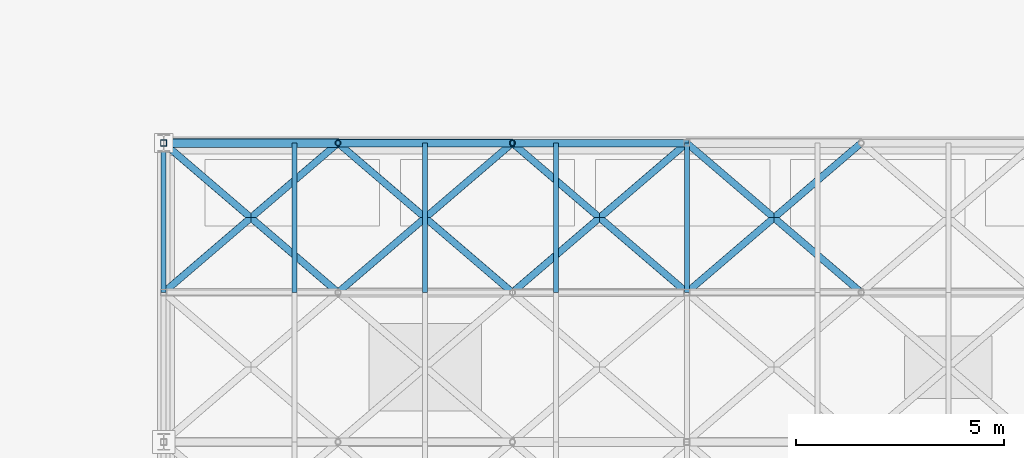
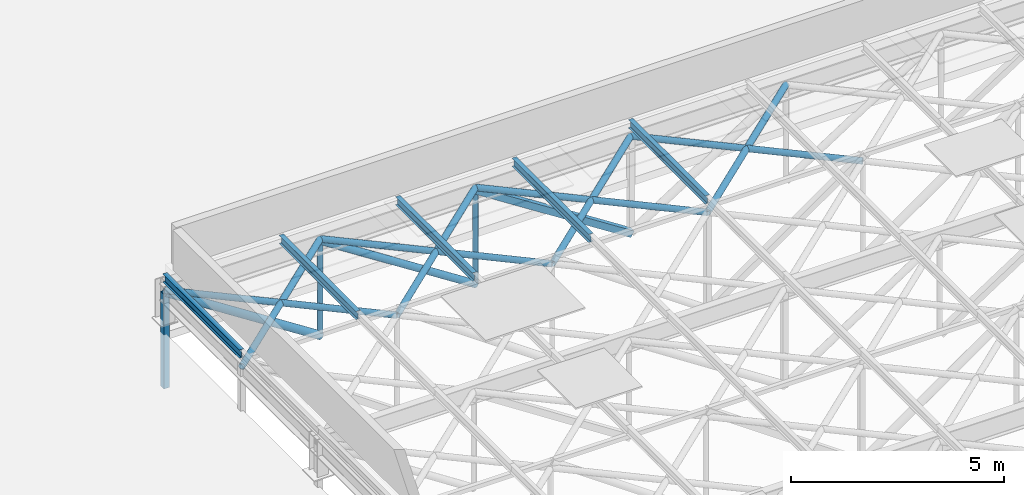
# One storey, part 24 of 45: 19 members.
"""IFC4 building model written with IfcOpenShell, lengths in metres."""

from ifc_helpers import new_model, si_unit, derived_unit, direction, frame, origin, origin_2d, place, context, subcontext, project, spatial, hollow_rectangle, hollow_circle, i_section, extrude, material, material_profile, profile_set, type_object, element, save


model = new_model("IFC4")

# Units and contexts
model_context = context("Model", 3, precision=1e-05, world=origin(), true_north=direction((0.0, 1.0)))
body_context = subcontext(model_context, "Body", "Model", "MODEL_VIEW")
ifc_project = project(units=[si_unit("LENGTHUNIT", "METRE"), si_unit("AREAUNIT", "SQUARE_METRE"), si_unit("VOLUMEUNIT", "CUBIC_METRE"), si_unit("PLANEANGLEUNIT", "RADIAN"), si_unit("MASSUNIT", "GRAM", prefix="KILO"), derived_unit("THERMALTRANSMITTANCEUNIT", [(si_unit("MASSUNIT", "GRAM", prefix="KILO"), 1), (si_unit("TIMEUNIT", "SECOND"), -3), (si_unit("THERMODYNAMICTEMPERATUREUNIT", "KELVIN"), -1)])], contexts=[model_context])

# Site, building, storey
site_placement = place(None, origin())
site = spatial("IfcSite", under=ifc_project, at=site_placement, CompositionType="ELEMENT")
building_placement = place(site_placement, origin())
building = spatial("IfcBuilding", under=site, at=building_placement, Name="Veldstrom Oceanarium and Marine Research Institute", CompositionType="ELEMENT")
storey_placement = place(building_placement, frame((0.0, 0.0, 22.199951171875)))
storey = spatial("IfcBuildingStorey", under=building, at=storey_placement, Name="L04", CompositionType="ELEMENT", Elevation=22.199951171875)

# Members
ifc_material_1 = material(Name="Steel S355JR", Category="steel")
ifc_material_profile_1 = material_profile(ifc_material_1, hollow_circle(Radius=0.109619140625, WallThickness=0.012451171875, at=origin_2d()), Name="CHS 219.1x12.5")
ifc_profile_set_1 = profile_set([ifc_material_profile_1], Name="Steel S355JR")
member_type_1 = type_object("IfcMemberType", Name="STR-MEM-BR1", PredefinedType="BRACE", material=ifc_profile_set_1)
member_1_placement = place(storey_placement, frame((16.800048828125, 57.60009765625, 0.81005859375), z_axis=(0.840267936235, 0.0, -0.542171370819), x_axis=(0.0, 1.0, 0.0)))
element("IfcMember", 1, at=member_1_placement, inside=storey, type_object=member_type_1, Name="Truss Web Diagonal RT13-1", PredefinedType="BRACE", context=body_context, shape_type="SweptSolid", body=[
    extrude(hollow_circle(Radius=0.109619140625, WallThickness=0.012451171875, at=origin_2d()), origin(), (0.0, 0.0, 1.0), 4.998291015625),
])
ifc_material_2 = material(Name="Steel S355JR", Category="steel")
ifc_material_profile_2 = material_profile(ifc_material_2, hollow_circle(Radius=0.096923828125, WallThickness=0.010009765625, at=origin_2d()), Name="CHS 193.7x10")
ifc_profile_set_2 = profile_set([ifc_material_profile_2], Name="Steel S355JR")
member_type_2 = type_object("IfcMemberType", Name="STR-MEM-BR2", PredefinedType="BRACE", material=ifc_profile_set_2)
member_2_placement = place(storey_placement, frame((21.0, 57.60009765625, 0.81005859375), z_axis=(0.840267936235, 0.0, -0.542171370819), x_axis=(0.0, 1.0, 0.0)))
element("IfcMember", 2, at=member_2_placement, inside=storey, type_object=member_type_2, Name="Truss Web Diagonal RT13-2", PredefinedType="BRACE", context=body_context, shape_type="SweptSolid", body=[
    extrude(hollow_circle(Radius=0.096923828125, WallThickness=0.010009765625, at=origin_2d()), origin(), (0.0, 0.0, 1.0), 4.998291015625),
])
ifc_material_3 = material(Name="Steel S355JR", Category="steel")
ifc_material_profile_3 = material_profile(ifc_material_3, hollow_circle(Radius=0.084228515625, WallThickness=0.008056640625, at=origin_2d()), Name="CHS 168.3x8")
ifc_profile_set_3 = profile_set([ifc_material_profile_3], Name="Steel S355JR")
member_type_3 = type_object("IfcMemberType", Name="STR-MEM-BR3", PredefinedType="BRACE", material=ifc_profile_set_3)
for number, where, z_axis, x_axis, name in (
    (3, (16.800048828125, 54.0, 0.860107421875), (0.759244140748, 0.650805911728, 0.0), (-0.650805911728, 0.759244140748, 0.0), "Roof Plan Wind Brace WB-12-1"),
    (4, (21.0, 54.0, 0.860107421875), (-0.759244140748, 0.650805911728, 0.0), (-0.650805911728, -0.759244140748, 0.0), "Roof Plan Counter Wind Brace WB-12-1B"),
    (5, (21.0, 54.0, 0.860107421875), (0.759244140748, 0.650805911728, 0.0), (-0.650805911728, 0.759244140748, 0.0), "Roof Plan Wind Brace WB-12-2"),
    (6, (25.199951171875, 54.0, 0.860107421875), (-0.759244140748, 0.650805911728, 0.0), (-0.650805911728, -0.759244140748, 0.0), "Roof Plan Counter Wind Brace WB-12-2B"),
    (7, (25.199951171875, 54.0, 0.860107421875), (0.759244140748, 0.650805911728, 0.0), (-0.650805911728, 0.759244140748, 0.0), "Roof Plan Wind Brace WB-12-3"),
    (8, (29.39990234375, 54.0, 0.860107421875), (-0.759244140748, 0.650805911728, 0.0), (-0.650805911728, -0.759244140748, 0.0), "Roof Plan Counter Wind Brace WB-12-3B"),
):
    element("IfcMember", number, at=place(storey_placement, frame(where, z_axis=z_axis, x_axis=x_axis)), inside=storey, type_object=member_type_3, Name=name, PredefinedType="BRACE", context=body_context, shape_type="SweptSolid", body=[
        extrude(hollow_circle(Radius=0.084228515625, WallThickness=0.008056640625, at=origin_2d()), origin(), (0.0, 0.0, 1.0), 5.53173828125),
    ])
for number, where, z_axis, x_axis, name in (
    (9, (29.39990234375, 54.0, 0.860107421875), (0.759262832861, 0.650784104474, 0.0), (-0.650784104474, 0.759262832861, 0.0), "Roof Plan Wind Brace WB-12-4"),
    (10, (33.60009765625, 54.0, 0.860107421875), (-0.759262832861, 0.650784104474, 0.0), (-0.650784104474, -0.759262832861, 0.0), "Roof Plan Counter Wind Brace WB-12-4B"),
):
    element("IfcMember", number, at=place(storey_placement, frame(where, z_axis=z_axis, x_axis=x_axis)), inside=storey, type_object=member_type_3, Name=name, PredefinedType="BRACE", context=body_context, shape_type="SweptSolid", body=[
        extrude(hollow_circle(Radius=0.084228515625, WallThickness=0.008056640625, at=origin_2d()), origin(), (0.0, 0.0, 1.0), 5.531982421875),
    ])
ifc_material_4 = material(Name="Steel S355JR", Category="steel")
ifc_material_profile_4 = material_profile(ifc_material_4, hollow_rectangle(XDim=0.179931640625, YDim=0.179931640625, WallThickness=0.010009765625, at=origin_2d()), Name="SHS 180x180x10")
ifc_profile_set_4 = profile_set([ifc_material_profile_4], Name="Steel S355JR")
member_type_4 = type_object("IfcMemberType", Name="STR-MEM-BR4", PredefinedType="BRACE", material=ifc_profile_set_4)
member_3_placement = place(storey_placement, frame((25.199951171875, 57.60009765625, 0.81005859375), z_axis=(0.840267936235, 0.0, -0.542171370819), x_axis=(0.0, 1.0, 0.0)))
element("IfcMember", 11, at=member_3_placement, inside=storey, type_object=member_type_4, Name="Truss Web Diagonal RT13-3", PredefinedType="BRACE", context=body_context, shape_type="SweptSolid", body=[
    extrude(hollow_rectangle(XDim=0.179931640625, YDim=0.179931640625, WallThickness=0.010009765625, at=origin_2d()), origin(), (0.0, 0.0, 1.0), 4.998291015625),
])
ifc_material_5 = material(Name="Steel S355JR", Category="steel")
ifc_material_profile_5 = material_profile(ifc_material_5, i_section(OverallWidth=0.1201171875, OverallDepth=0.239990234375, WebThickness=0.006103515625, FlangeThickness=0.009765625, FilletRadius=0.014892578125, at=origin_2d()), Name="IPE 240")
ifc_profile_set_5 = profile_set([ifc_material_profile_5], Name="Steel S355JR")
member_type_5 = type_object("IfcMemberType", Name="STR-MEM-PR1", PredefinedType="PURLIN", material=ifc_profile_set_5)
for number, where, z_axis, x_axis, name in (
    (12, (16.800048828125, 54.0, 1.22998046875), (0.0, 1.0, 0.0), (-1.0, 0.0, 0.0), "Hall Roof Purlin PR-13-1"),
    (13, (19.949951171875, 54.0, 1.22998046875), (0.0, 1.0, 0.0), (-1.0, 0.0, 0.0), "Hall Roof Purlin PR-13-2"),
    (14, (23.10009765625, 54.0, 1.22998046875), (0.0, 1.0, 0.0), (-1.0, 0.0, 0.0), "Hall Roof Purlin PR-13-3"),
    (15, (26.25, 54.0, 1.22998046875), (0.0, 1.0, 0.0), (-1.0, 0.0, 0.0), "Hall Roof Purlin PR-13-4"),
    (16, (29.39990234375, 54.0, 1.22998046875), (0.0, 1.0, 0.0), (-1.0, 0.0, 0.0), "Hall Roof Purlin PR-13-5"),
):
    element("IfcMember", number, at=place(storey_placement, frame(where, z_axis=z_axis, x_axis=x_axis)), inside=storey, type_object=member_type_5, Name=name, PredefinedType="PURLIN", context=body_context, shape_type="SweptSolid", body=[
        extrude(i_section(OverallWidth=0.1201171875, OverallDepth=0.239990234375, WebThickness=0.006103515625, FlangeThickness=0.009765625, FilletRadius=0.014892578125, at=origin_2d()), origin(), (0.0, 0.0, 1.0), 3.60009765625),
    ])
ifc_material_6 = material(Name="Steel S355JR", Category="steel")
ifc_material_profile_6 = material_profile(ifc_material_6, hollow_rectangle(XDim=0.14990234375, YDim=0.14990234375, WallThickness=0.010009765625, at=origin_2d()), Name="SHS 150x150x10")
ifc_profile_set_6 = profile_set([ifc_material_profile_6], Name="Steel S355JR")
member_type_6 = type_object("IfcMemberType", Name="STR-MEM-PS1", PredefinedType="POST", material=ifc_profile_set_6)
member_4_placement = place(storey_placement, frame((16.800048828125, 57.60009765625, -1.89990234375), z_axis=(0.0, 0.0, 1.0), x_axis=(1.0, 0.0, 0.0)))
element("IfcMember", 17, at=member_4_placement, inside=storey, type_object=member_type_6, Name="Truss Vertical Post RT13-1", PredefinedType="POST", context=body_context, shape_type="SweptSolid", body=[
    extrude(hollow_rectangle(XDim=0.14990234375, YDim=0.14990234375, WallThickness=0.010009765625, at=origin_2d()), origin(), (0.0, 0.0, 1.0), 2.7099609375),
])
ifc_material_7 = material(Name="Steel S355JR", Category="steel")
ifc_material_profile_7 = material_profile(ifc_material_7, hollow_circle(Radius=0.06982421875, WallThickness=0.008056640625, at=origin_2d()), Name="CHS 139.7x8")
ifc_profile_set_7 = profile_set([ifc_material_profile_7], Name="Steel S355JR")
member_type_7 = type_object("IfcMemberType", Name="STR-MEM-PS2", PredefinedType="POST", material=ifc_profile_set_7)
for number, where, z_axis, x_axis, name in (
    (18, (21.0, 57.60009765625, -1.89990234375), (0.0, 0.0, 1.0), (1.0, 0.0, 0.0), "Truss Vertical Post RT13-2"),
    (19, (25.199951171875, 57.60009765625, -1.89990234375), (0.0, 0.0, 1.0), (1.0, 0.0, 0.0), "Truss Vertical Post RT13-3"),
):
    element("IfcMember", number, at=place(storey_placement, frame(where, z_axis=z_axis, x_axis=x_axis)), inside=storey, type_object=member_type_7, Name=name, PredefinedType="POST", context=body_context, shape_type="SweptSolid", body=[
        extrude(hollow_circle(Radius=0.06982421875, WallThickness=0.008056640625, at=origin_2d()), origin(), (0.0, 0.0, 1.0), 2.7099609375),
    ])

save(model, "model.ifc")
